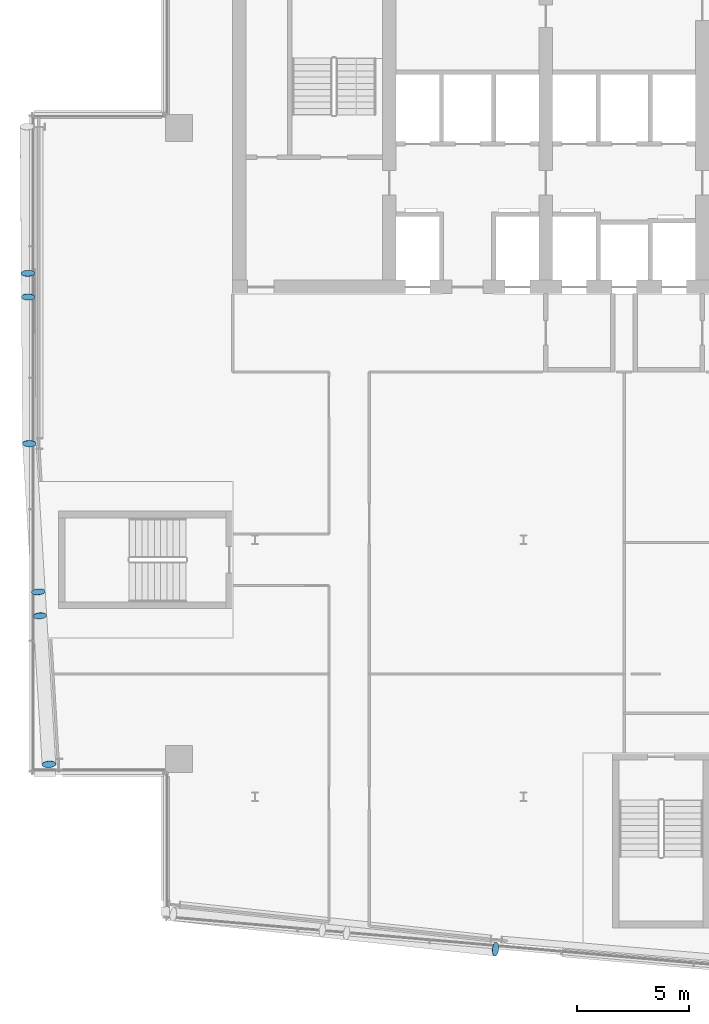
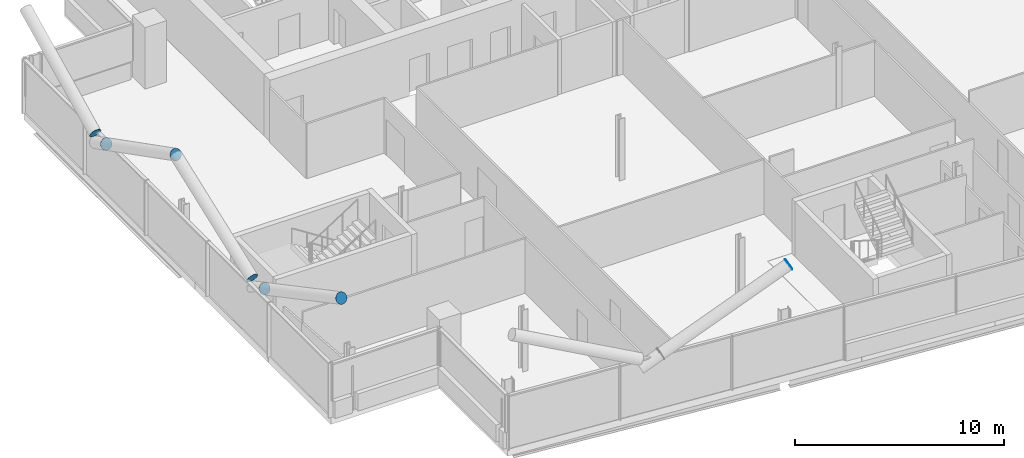
# One storey, part 22 of 28: 7 discrete accessories.
"""IFC4 building model written with IfcOpenShell, lengths in metres."""

from ifc_helpers import new_model, si_unit, direction, frame, origin, origin_2d, place, context, subcontext, project, spatial, circle, extrude, material, material_profile, profile_set, type_object, element, save


model = new_model("IFC4")

# Units and contexts
model_context = context("Model", 3, precision=1e-05, world=origin(), true_north=direction((0.0, 1.0)))
body_context = subcontext(model_context, "Body", "Model", "MODEL_VIEW")
ifc_project = project(units=[si_unit("LENGTHUNIT", "METRE"), si_unit("AREAUNIT", "SQUARE_METRE"), si_unit("VOLUMEUNIT", "CUBIC_METRE"), si_unit("PLANEANGLEUNIT", "RADIAN"), si_unit("MASSUNIT", "GRAM", prefix="KILO")], contexts=[model_context])

# Site, building, storey
site_placement = place(None, origin())
site = spatial("IfcSite", under=ifc_project, at=site_placement, CompositionType="ELEMENT")
building_placement = place(site_placement, origin())
building = spatial("IfcBuilding", under=site, at=building_placement, Name="Wharfspan Tower", CompositionType="ELEMENT")
storey_placement = place(building_placement, frame((0.0, 0.0, 253.899902)))
storey = spatial("IfcBuildingStorey", under=building, at=storey_placement, Name="L64", CompositionType="ELEMENT", Elevation=253.899902)

# Discrete accessories
ifc_material = material(Name="Steel S460NH", Category="steel")
ifc_material_profile = material_profile(ifc_material, circle(Radius=0.304932, at=origin_2d()))
ifc_profile_set = profile_set([ifc_material_profile], Name="Steel S460NH")
discrete_accessory_type = type_object("IfcDiscreteAccessoryType", Name="End plate CHS 610x25", PredefinedType="BRACKET", material=ifc_profile_set)
discrete_accessory_1_placement = place(storey_placement, frame((34.741699, 4.689941, 6.5), z_axis=(0.885482, -0.095728, 0.454707), x_axis=(0.107482, 0.994211, 1e-06)))
element("IfcDiscreteAccessory", 1, at=discrete_accessory_1_placement, inside=storey, type_object=discrete_accessory_type, Name="End plate CHS 610x25", PredefinedType="BRACKET", context=body_context, shape_type="SweptSolid", body=[
    extrude(circle(Radius=0.304932, at=origin_2d()), origin(), (0.0, 0.0, 1.0), 0.010254),
])
discrete_accessory_2_placement = place(storey_placement, frame((13.853271, 33.85791, 3.165527), z_axis=(0.0, -0.894427, 0.447214), x_axis=(1.0, 0.0, 0.0)))
element("IfcDiscreteAccessory", 2, at=discrete_accessory_2_placement, inside=storey, type_object=discrete_accessory_type, Name="End plate CHS 610x25", PredefinedType="BRACKET", context=body_context, shape_type="SweptSolid", body=[
    extrude(circle(Radius=0.304932, at=origin_2d()), origin(), (0.0, 0.0, 1.0), 0.009766),
])
discrete_accessory_3_placement = place(storey_placement, frame((13.905029, 27.300049, 6.5), z_axis=(0.0, -0.889567, 0.456805), x_axis=(1.0, 0.0, 0.0)))
element("IfcDiscreteAccessory", 3, at=discrete_accessory_3_placement, inside=storey, type_object=discrete_accessory_type, Name="End plate CHS 610x25", PredefinedType="BRACKET", context=body_context, shape_type="SweptSolid", body=[
    extrude(circle(Radius=0.304932, at=origin_2d()), origin(), (0.0, 0.0, 1.0), 0.010254),
])
for number, where, z_axis, x_axis, name in (
    (4, (13.844971, 34.901611, 3.165527), (-0.024296, 0.89897, 0.437337), (-0.999631, -0.027017, 1e-06), "End plate CHS 610x25"),
    (5, (14.376221, 19.601807, 3.16626), (0.072718, -0.896854, 0.436308), (0.996729, 0.080815, -2e-06), "End plate CHS 610x25"),
    (6, (14.782715, 12.963379, 6.5), (0.049073, -0.883319, 0.466196), (0.998456, 0.05547, 1e-06), "End plate CHS 610x25"),
    (7, (14.311523, 20.661621, 3.16626), (-0.072718, 0.896854, 0.436308), (-0.996729, -0.080815, -2e-06), "End plate CHS 610x25"),
):
    element("IfcDiscreteAccessory", number, at=place(storey_placement, frame(where, z_axis=z_axis, x_axis=x_axis)), inside=storey, type_object=discrete_accessory_type, Name=name, PredefinedType="BRACKET", context=body_context, shape_type="SweptSolid", body=[
        extrude(circle(Radius=0.304932, at=origin_2d()), origin(), (0.0, 0.0, 1.0), 0.01001),
    ])

save(model, "model.ifc")
